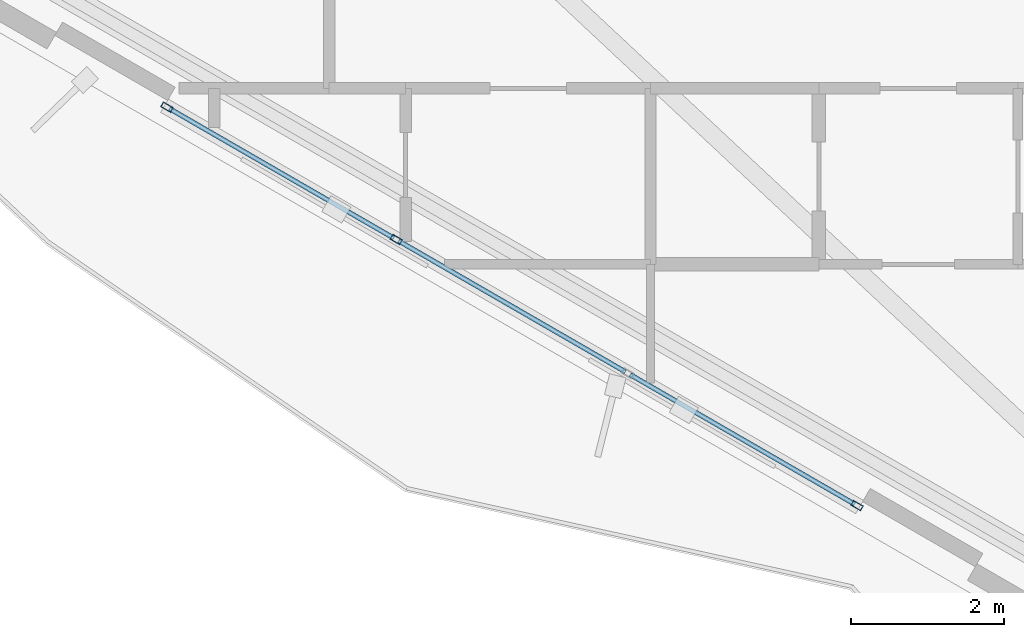
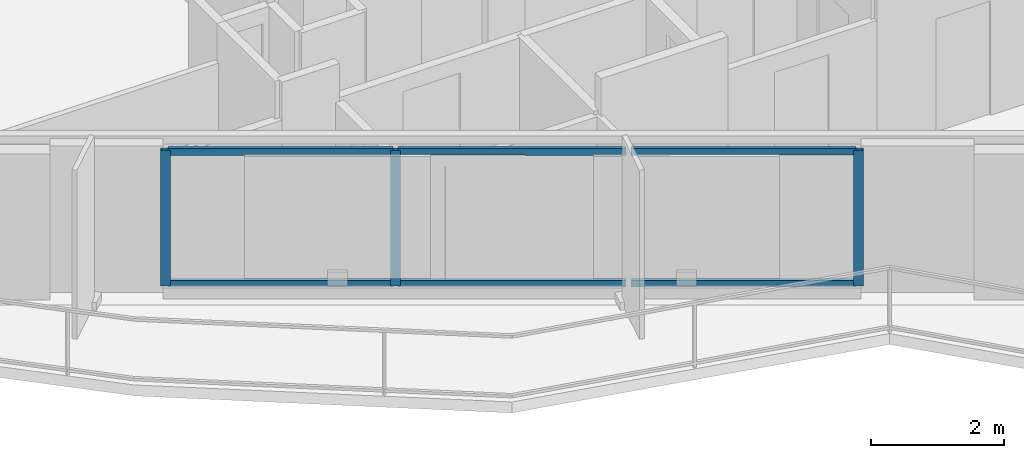
# One storey, part 2 of 18: 9 members, 1 element without a shape of its own.
"""IFC4 building model written with IfcOpenShell, lengths in metres."""

from ifc_helpers import new_model, si_unit, direction, frame, origin, origin_2d, place, context, subcontext, project, spatial, hollow_rectangle, extrude, material, layer, layer_set, material_profile, profile_set, type_object, element, aggregate, save


model = new_model("IFC4")

# Units and contexts
model_context = context("Model", 3, precision=1e-05, world=origin(), true_north=direction((0.0, 1.0)))
body_context = subcontext(model_context, "Body", "Model", "MODEL_VIEW")
ifc_project = project(units=[si_unit("LENGTHUNIT", "METRE"), si_unit("AREAUNIT", "SQUARE_METRE"), si_unit("VOLUMEUNIT", "CUBIC_METRE"), si_unit("PLANEANGLEUNIT", "RADIAN"), si_unit("MASSUNIT", "GRAM", prefix="KILO")], contexts=[model_context])

# Site, building, storey
site_placement = place(None, origin())
site = spatial("IfcSite", under=ifc_project, at=site_placement, CompositionType="ELEMENT")
building_placement = place(site_placement, origin())
building = spatial("IfcBuilding", under=site, at=building_placement, Name="Mersakhor Tower and Convention Hall", CompositionType="ELEMENT")
storey_placement = place(building_placement, frame((0.0, 0.0, 154.199951171875)))
storey = spatial("IfcBuildingStorey", under=building, at=storey_placement, Name="L43", CompositionType="ELEMENT", Elevation=154.199951171875)

# Curtain wall, members
ifc_material_1 = material(Name="Dark solar low-E aluminium curtain wall", Category="aluminium")
ifc_layer = layer(ifc_material_1, 0.169921875)
ifc_layer_set = layer_set([ifc_layer], Name="Dark solar low-E aluminium curtain wall")
curtain_wall_type = type_object("IfcCurtainWallType", Name="CW-SYS-02", PredefinedType="USERDEFINED", material=ifc_layer_set)
curtain_wall_placement = place(storey_placement, origin())
curtain_wall = element("IfcCurtainWall", 1, at=curtain_wall_placement, inside=storey, type_object=curtain_wall_type, Name="L43 Dark-Glass Curtain Wall F3-B2", ObjectType="CURTAIN WALL", PredefinedType="USERDEFINED")
ifc_material_2 = material(Name="Anodised aluminium EN AW-6063 T6", Category="aluminium")
ifc_material_profile_1 = material_profile(ifc_material_2, hollow_rectangle(XDim=0.074951171875, YDim=0.14990234375, WallThickness=0.00634765625, at=origin_2d()), Name="RHS 150x75x6.3")
ifc_profile_set_1 = profile_set([ifc_material_profile_1], Name="Anodised aluminium EN AW-6063 T6")
member_type_1 = type_object("IfcMemberType", Name="CWM-150x75", PredefinedType="MULLION", material=ifc_profile_set_1)
member_1_placement = place(storey_placement, frame((26.8984375, 12.69921875, 0.199951171875), z_axis=(0.0, 0.0, 1.0), x_axis=(-0.499990468363, -0.866030906807, 0.0)))
member_1 = element("IfcMember", 2, at=member_1_placement, type_object=member_type_1, Name="CW-02 mullion 1", PredefinedType="MULLION", context=body_context, shape_type="SweptSolid", body=[
    extrude(hollow_rectangle(XDim=0.074951171875, YDim=0.14990234375, WallThickness=0.00634765625, at=origin_2d()), origin(), (0.0, 0.0, 1.0), 2.47998046875),
])
member_2_placement = place(storey_placement, frame((20.876953125, 16.17578125, 0.199951171875), z_axis=(0.0, 0.0, 1.0), x_axis=(-0.499990468363, -0.866030906807, 0.0)))
member_2 = element("IfcMember", 3, at=member_2_placement, type_object=member_type_1, Name="CW-02 mullion 3", PredefinedType="MULLION", context=body_context, shape_type="SweptSolid", body=[
    extrude(hollow_rectangle(XDim=0.074951171875, YDim=0.14990234375, WallThickness=0.00634765625, at=origin_2d()), origin(), (0.0, 0.0, 1.0), 2.47998046875),
])
member_3_placement = place(storey_placement, frame((17.88232421875, 17.904541015625, 0.199951171875), z_axis=(0.0, 0.0, 1.0), x_axis=(-0.499990468363, -0.866030906807, 0.0)))
member_3 = element("IfcMember", 4, at=member_3_placement, type_object=member_type_1, Name="CW-02 mullion 4", PredefinedType="MULLION", context=body_context, shape_type="SweptSolid", body=[
    extrude(hollow_rectangle(XDim=0.074951171875, YDim=0.14990234375, WallThickness=0.00634765625, at=origin_2d()), origin(), (0.0, 0.0, 1.0), 2.47998046875),
])
ifc_material_3 = material(Name="Anodised aluminium EN AW-6063 T6", Category="aluminium")
ifc_material_profile_2 = material_profile(ifc_material_3, hollow_rectangle(XDim=0.06005859375, YDim=0.1201171875, WallThickness=0.0048828125, at=origin_2d()), Name="RHS 120x60x5")
ifc_profile_set_2 = profile_set([ifc_material_profile_2], Name="Anodised aluminium EN AW-6063 T6")
member_type_2 = type_object("IfcMemberType", Name="CWT-120x60", PredefinedType="USERDEFINED", material=ifc_profile_set_2)
member_4_placement = place(storey_placement, frame((26.865966796875, 12.718017578125, 0.22998046875), z_axis=(-0.866044963944, 0.49996611928, 0.0), x_axis=(-0.49996611928, -0.866044963944, 0.0)))
member_4 = element("IfcMember", 5, at=member_4_placement, type_object=member_type_2, Name="CW-02 transom 1.1", ObjectType="TRANSOM", PredefinedType="USERDEFINED", context=body_context, shape_type="SweptSolid", body=[
    extrude(hollow_rectangle(XDim=0.06005859375, YDim=0.1201171875, WallThickness=0.0048828125, at=origin_2d()), origin(), (0.0, 0.0, 1.0), 3.382568359375),
])
member_5_placement = place(storey_placement, frame((26.865966796875, 12.718017578125, 2.650146484375), z_axis=(-0.866044963944, 0.49996611928, 0.0), x_axis=(-0.49996611928, -0.866044963944, 0.0)))
member_5 = element("IfcMember", 6, at=member_5_placement, type_object=member_type_2, Name="CW-02 transom 1.2", ObjectType="TRANSOM", PredefinedType="USERDEFINED", context=body_context, shape_type="SweptSolid", body=[
    extrude(hollow_rectangle(XDim=0.06005859375, YDim=0.1201171875, WallThickness=0.0048828125, at=origin_2d()), origin(), (0.0, 0.0, 1.0), 3.382568359375),
])
member_6_placement = place(storey_placement, frame((23.871337890625, 14.44677734375, 0.22998046875), z_axis=(-0.866007273829, 0.50003140069, 0.0), x_axis=(-0.50003140069, -0.866007273829, 0.0)))
member_6 = element("IfcMember", 7, at=member_6_placement, type_object=member_type_2, Name="CW-02 transom 2.1", ObjectType="TRANSOM", PredefinedType="USERDEFINED", context=body_context, shape_type="SweptSolid", body=[
    extrude(hollow_rectangle(XDim=0.06005859375, YDim=0.1201171875, WallThickness=0.0048828125, at=origin_2d()), origin(), (0.0, 0.0, 1.0), 3.420166015625),
])
member_7_placement = place(storey_placement, frame((23.871337890625, 14.44677734375, 2.650146484375), z_axis=(-0.866007273829, 0.50003140069, 0.0), x_axis=(-0.50003140069, -0.866007273829, 0.0)))
member_7 = element("IfcMember", 8, at=member_7_placement, type_object=member_type_2, Name="CW-02 transom 2.2", ObjectType="TRANSOM", PredefinedType="USERDEFINED", context=body_context, shape_type="SweptSolid", body=[
    extrude(hollow_rectangle(XDim=0.06005859375, YDim=0.1201171875, WallThickness=0.0048828125, at=origin_2d()), origin(), (0.0, 0.0, 1.0), 3.420166015625),
])
member_8_placement = place(storey_placement, frame((20.844482421875, 16.1943359375, 0.22998046875), z_axis=(-0.866031754707, 0.499988999718, 0.0), x_axis=(-0.499988999718, -0.866031754707, 0.0)))
member_8 = element("IfcMember", 9, at=member_8_placement, type_object=member_type_2, Name="CW-02 transom 3.1", ObjectType="TRANSOM", PredefinedType="USERDEFINED", context=body_context, shape_type="SweptSolid", body=[
    extrude(hollow_rectangle(XDim=0.06005859375, YDim=0.1201171875, WallThickness=0.0048828125, at=origin_2d()), origin(), (0.0, 0.0, 1.0), 3.3828125),
])
member_9_placement = place(storey_placement, frame((20.844482421875, 16.1943359375, 2.650146484375), z_axis=(-0.866031754707, 0.499988999718, 0.0), x_axis=(-0.499988999718, -0.866031754707, 0.0)))
member_9 = element("IfcMember", 10, at=member_9_placement, type_object=member_type_2, Name="CW-02 transom 3.2", ObjectType="TRANSOM", PredefinedType="USERDEFINED", context=body_context, shape_type="SweptSolid", body=[
    extrude(hollow_rectangle(XDim=0.06005859375, YDim=0.1201171875, WallThickness=0.0048828125, at=origin_2d()), origin(), (0.0, 0.0, 1.0), 3.3828125),
])
aggregate(curtain_wall, [member_1, member_2, member_3, member_4, member_5, member_6, member_7, member_8, member_9])

save(model, "model.ifc")
